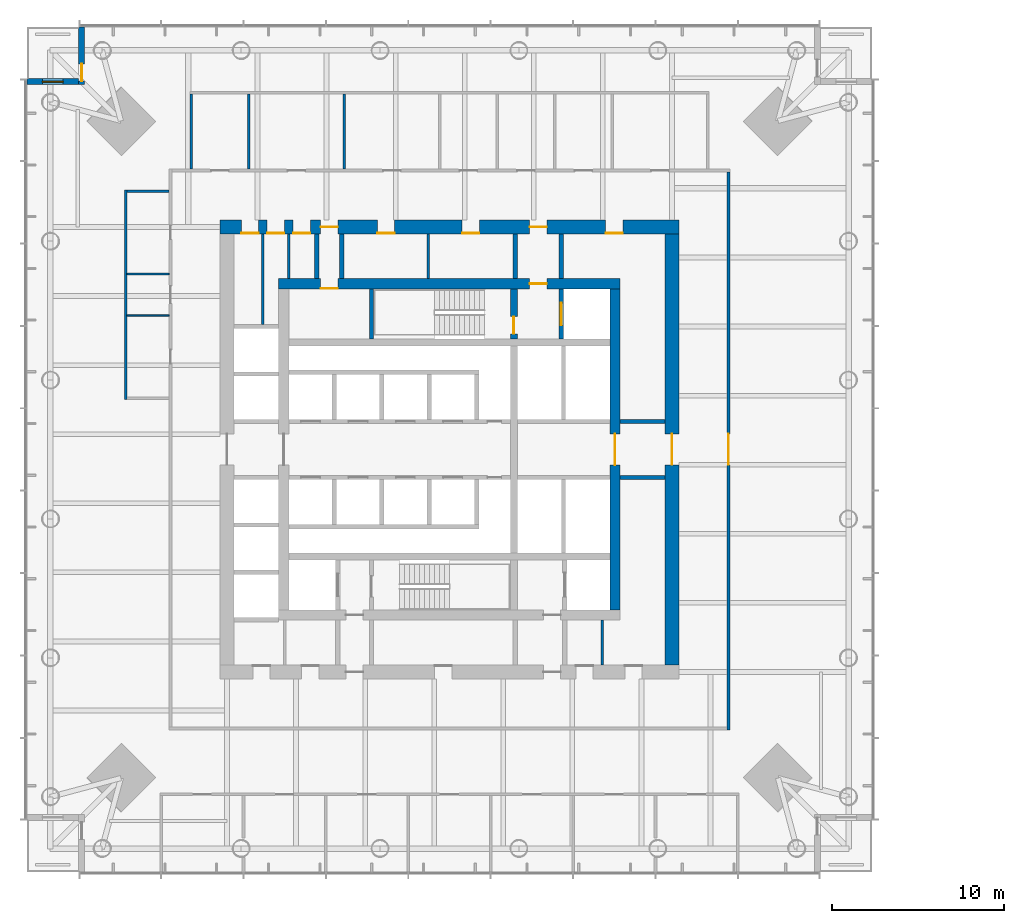
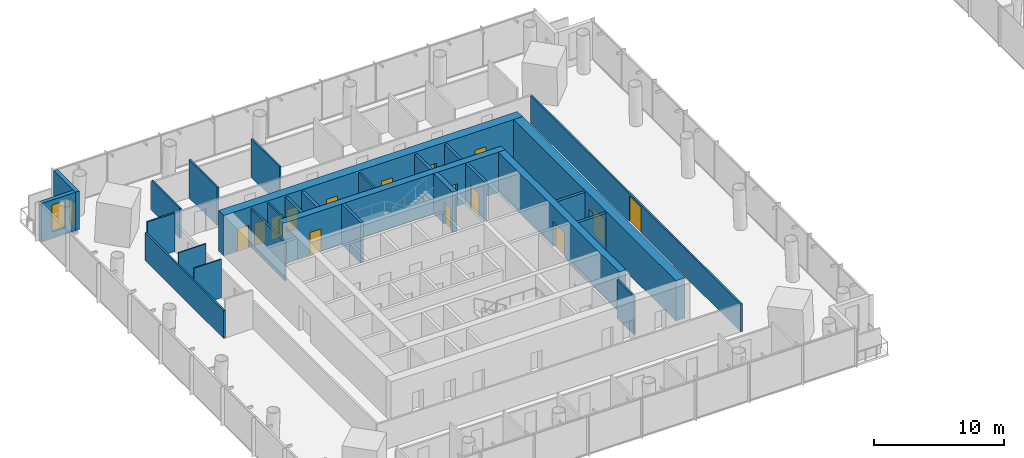
# One storey, part 12 of 21: 27 walls, 16 doors, 1 window, 17 openings.
"""IFC4 building model written with IfcOpenShell, lengths in metres."""

from ifc_helpers import new_model, si_unit, direction, frame, frame_2d, origin, place, context, subcontext, project, spatial, rectangle, extrude, material, layer, layer_set, type_object, element, fill, save


model = new_model("IFC4")

# Units and contexts
model_context = context("Model", 3, precision=1e-05, world=origin(), true_north=direction((0.0, 1.0)))
body_context = subcontext(model_context, "Body", "Model", "MODEL_VIEW")
ifc_project = project(units=[si_unit("LENGTHUNIT", "METRE"), si_unit("AREAUNIT", "SQUARE_METRE"), si_unit("VOLUMEUNIT", "CUBIC_METRE"), si_unit("PLANEANGLEUNIT", "RADIAN"), si_unit("MASSUNIT", "GRAM", prefix="KILO")], contexts=[model_context])

# Site, building, storey
site_placement = place(None, origin())
site = spatial("IfcSite", under=ifc_project, at=site_placement, CompositionType="ELEMENT")
building_placement = place(site_placement, origin())
building = spatial("IfcBuilding", under=site, at=building_placement, Name="Ostroluk Exchange", CompositionType="ELEMENT")
storey_placement = place(building_placement, frame((0.0, 0.0, 47.60009765625)))
storey = spatial("IfcBuildingStorey", under=building, at=storey_placement, Name="L11", CompositionType="ELEMENT", Elevation=47.60009765625)

# Walls
ifc_material_1 = material(Name="Concrete blockwork", Category="masonry")
ifc_layer_1 = layer(ifc_material_1, 0.10009765625)
ifc_layer_set_1 = layer_set([ifc_layer_1], Name="Blockwork WC wall 100")
wall_type_1 = type_object("IfcWallType", Name="Blockwork WC wall 100", PredefinedType="SOLIDWALL", material=ifc_layer_set_1)
for number, where, z_axis, x_axis, name in (
    (1, (28.75, 56.175048828125, 0.0), (0.0, 0.0, 1.0), (-1.0, 0.0, 0.0), "Blockwork WC wall"),
    (2, (28.75, 53.77490234375, 0.0), (0.0, 0.0, 1.0), (-1.0, 0.0, 0.0), "Blockwork WC wall"),
):
    element("IfcWall", number, at=place(storey_placement, frame(where, z_axis=z_axis, x_axis=x_axis)), inside=storey, type_object=wall_type_1, Name=name, PredefinedType="SOLIDWALL", context=body_context, shape_type="SweptSolid", body=[
        extrude(rectangle(XDim=2.449951171875, YDim=0.10009765625, at=frame_2d((1.22509765625, 0.0))), origin(), (0.0, 0.0, 1.0), 3.619873046875),
    ])
ifc_material_2 = material(Name="Concrete blockwork", Category="masonry")
ifc_layer_2 = layer(ifc_material_2, 0.14990234375)
ifc_layer_set_2 = layer_set([ifc_layer_2], Name="Blockwork plant room wall 150")
wall_type_2 = type_object("IfcWallType", Name="Blockwork plant room wall 150", PredefinedType="SOLIDWALL", material=ifc_layer_set_2)
wall_1_placement = place(storey_placement, frame((34.18310546875, 53.25, 0.0), z_axis=(0.0, 0.0, 1.0), x_axis=(0.0, 1.0, 0.0)))
element("IfcWall", 3, at=wall_1_placement, inside=storey, type_object=wall_type_2, Name="Core room wall", PredefinedType="SOLIDWALL", context=body_context, shape_type="SweptSolid", body=[
    extrude(rectangle(XDim=5.25, YDim=0.14990234375, at=frame_2d((2.625, 0.0))), origin(), (0.0, 0.0, 1.0), 3.619873046875),
])
for number, where, z_axis, x_axis, name in (
    (4, (35.678955078125, 55.89990234375, 0.0), (0.0, 0.0, 1.0), (0.0, 1.0, 0.0), "Core room wall"),
    (5, (43.777587890625, 55.89990234375, 0.0), (0.0, 0.0, 1.0), (0.0, 1.0, 0.0), "Core room wall"),
    (6, (53.85205078125, 33.5, 0.0), (0.0, 0.0, 1.0), (0.0, 1.0, 0.0), "Core room wall"),
):
    element("IfcWall", number, at=place(storey_placement, frame(where, z_axis=z_axis, x_axis=x_axis)), inside=storey, type_object=wall_type_2, Name=name, PredefinedType="SOLIDWALL", context=body_context, shape_type="SweptSolid", body=[
        extrude(rectangle(XDim=2.60009765625, YDim=0.14990234375, at=frame_2d((1.300048828125, 0.0))), origin(), (0.0, 0.0, 1.0), 3.619873046875),
    ])
ifc_material_3 = material(Name="Concrete blockwork", Category="masonry")
ifc_layer_3 = layer(ifc_material_3, 0.25)
ifc_layer_set_3 = layer_set([ifc_layer_3], Name="Blockwork stair enclosure wall 250")
wall_type_3 = type_object("IfcWallType", Name="Blockwork stair enclosure wall 250", PredefinedType="SOLIDWALL", material=ifc_layer_set_3)
for number, where, z_axis, x_axis, name in (
    (7, (48.804931640625, 55.89990234375, 0.0), (0.0, 0.0, 1.0), (0.0, 1.0, 0.0), "Fire lobby enclosure wall"),
    (8, (51.47509765625, 55.89990234375, 0.0), (0.0, 0.0, 1.0), (0.0, 1.0, 0.0), "Fire lobby enclosure wall"),
    (9, (54.89990234375, 44.375, 0.0), (0.0, 0.0, 1.0), (1.0, 0.0, 0.0), "Lift lobby enclosure wall"),
    (10, (54.89990234375, 47.625, 0.0), (0.0, 0.0, 1.0), (1.0, 0.0, 0.0), "Lift lobby enclosure wall"),
    (11, (37.300048828125, 55.89990234375, 0.0), (0.0, 0.0, 1.0), (0.0, 1.0, 0.0), "Core corridor wall"),
    (12, (38.75, 55.89990234375, 0.0), (0.0, 0.0, 1.0), (0.0, 1.0, 0.0), "Core corridor wall"),
):
    element("IfcWall", number, at=place(storey_placement, frame(where, z_axis=z_axis, x_axis=x_axis)), inside=storey, type_object=wall_type_3, Name=name, PredefinedType="SOLIDWALL", context=body_context, shape_type="SweptSolid", body=[
        extrude(rectangle(XDim=2.60009765625, YDim=0.25, at=frame_2d((1.300048828125, 0.0))), origin(), (0.0, 0.0, 1.0), 3.619873046875),
    ])

# Wall, opening, door
ifc_material_4 = material(Name="Concrete C50/60", Category="concrete")
ifc_layer_4 = layer(ifc_material_4, 0.39990234375)
ifc_layer_set_4 = layer_set([ifc_layer_4], Name="Core cross wall 400 C50/60")
wall_type_4 = type_object("IfcWallType", Name="Core cross wall 400 C50/60", PredefinedType="SHEAR", material=ifc_layer_set_4)
wall_2_placement = place(storey_placement, frame((48.72998046875, 52.39990234375, 0.0), z_axis=(0.0, 0.0, 1.0), x_axis=(0.0, 1.0, 0.0)))
wall_2 = element("IfcWall", 13, at=wall_2_placement, inside=storey, type_object=wall_type_4, Name="T1 core wall YE3", PredefinedType="SHEAR", context=body_context, shape_type="SweptSolid", body=[
    extrude(rectangle(XDim=2.900146484375, YDim=0.39990234375, at=frame_2d((1.4501953125, 0.0))), origin(), (0.0, 0.0, 1.0), 3.7998046875),
])
opening_1_placement = place(wall_2_placement, frame((0.300048828125, 0.0, 0.0)))
opening_1 = element("IfcOpeningElement", 14, at=opening_1_placement, cuts=wall_2, Name="Opening FD60", PredefinedType="OPENING", context=body_context, shape_type="SweptSolid", body=[
    extrude(rectangle(XDim=1.0, YDim=2.10009765625, at=frame_2d((0.5, 1.050048828125))), frame((0.0, 0.2099609375, 0.0), z_axis=(0.0, -1.0, 0.0), x_axis=(1.0, 0.0, 0.0)), (0.0, 0.0, 1.0), 0.419921875),
])
ifc_material_5 = material(Name="Steel", Category="steel")
door_type_1 = type_object("IfcDoorType", Name="Fire door EI 60 1000 x 2100", OperationType="SINGLE_SWING_LEFT", PredefinedType="DOOR", material=ifc_material_5)
door_1_placement = place(opening_1_placement, origin())
door_1 = element("IfcDoor", 15, at=door_1_placement, inside=storey, type_object=door_type_1, Name="Stair T1-S2 door", OperationType="SINGLE_SWING_LEFT", OverallHeight=2.10009765625, OverallWidth=1.0, PredefinedType="DOOR", context=body_context, shape_type="SweptSolid", body=[
    extrude(rectangle(XDim=1.0, YDim=2.10009765625, at=frame_2d((0.5, 1.050048828125))), frame((0.0, 0.02490234375, 0.0), z_axis=(0.0, -1.0, 0.0), x_axis=(1.0, 0.0, 0.0)), (0.0, 0.0, 1.0), 0.050048828125),
])
fill(opening_1, door_1)

# Wall
ifc_material_6 = material(Name="Concrete C40/50", Category="concrete")
ifc_layer_5 = layer(ifc_material_6, 0.25)
ifc_layer_set_5 = layer_set([ifc_layer_5], Name="Core shaft wall 250")
wall_type_5 = type_object("IfcWallType", Name="Core shaft wall 250", PredefinedType="SHEAR", material=ifc_layer_set_5)
wall_3_placement = place(storey_placement, frame((40.47509765625, 52.39990234375, 0.0), z_axis=(0.0, 0.0, 1.0), x_axis=(0.0, 1.0, 0.0)))
element("IfcWall", 16, at=wall_3_placement, inside=storey, type_object=wall_type_5, Name="Stair shaft wall", PredefinedType="SHEAR", context=body_context, shape_type="SweptSolid", body=[
    extrude(rectangle(XDim=2.900146484375, YDim=0.25, at=frame_2d((1.4501953125, 0.0))), origin(), (0.0, 0.0, 1.0), 3.7998046875),
])

# Wall, opening, door
wall_4_placement = place(storey_placement, frame((51.47509765625, 52.39990234375, 0.0), z_axis=(0.0, 0.0, 1.0), x_axis=(0.0, 1.0, 0.0)))
wall_4 = element("IfcWall", 17, at=wall_4_placement, inside=storey, type_object=wall_type_5, Name="Firefighting lift shaft wall", PredefinedType="SHEAR", context=body_context, shape_type="SweptSolid", body=[
    extrude(rectangle(XDim=2.900146484375, YDim=0.25, at=frame_2d((1.4501953125, 0.0))), origin(), (0.0, 0.0, 1.0), 3.7998046875),
])
opening_2_placement = place(wall_4_placement, frame((0.800048828125, 0.0, 0.0)))
opening_2 = element("IfcOpeningElement", 18, at=opening_2_placement, cuts=wall_4, Name="Opening LD2", PredefinedType="OPENING", context=body_context, shape_type="SweptSolid", body=[
    extrude(rectangle(XDim=1.300048828125, YDim=2.199951171875, at=frame_2d((0.64990234375, 1.10009765625))), frame((0.0, 0.135009765625, 0.0), z_axis=(0.0, -1.0, 0.0), x_axis=(1.0, 0.0, 0.0)), (0.0, 0.0, 1.0), 0.27001953125),
])
ifc_material_7 = material(Name="Stainless steel", Category="steel")
door_type_2 = type_object("IfcDoorType", Name="Lift landing door E 60 1300 x 2200", OperationType="DOUBLE_DOOR_SLIDING", PredefinedType="DOOR", material=ifc_material_7)
door_2_placement = place(opening_2_placement, origin())
door_2 = element("IfcDoor", 19, at=door_2_placement, inside=storey, type_object=door_type_2, Name="Lift FL2 landing door", OperationType="DOUBLE_DOOR_SLIDING", OverallHeight=2.199951171875, OverallWidth=1.300048828125, PredefinedType="DOOR", context=body_context, shape_type="SweptSolid", body=[
    extrude(rectangle(XDim=1.300048828125, YDim=2.199951171875, at=frame_2d((0.64990234375, 1.10009765625))), frame((0.0, 0.02490234375, 0.0), z_axis=(0.0, -1.0, 0.0), x_axis=(1.0, 0.0, 0.0)), (0.0, 0.0, 1.0), 0.050048828125),
])
fill(opening_2, door_2)

# Wall, openings, doors
ifc_material_8 = material(Name="Concrete C50/60", Category="concrete")
ifc_layer_6 = layer(ifc_material_8, 0.60009765625)
ifc_layer_set_6 = layer_set([ifc_layer_6], Name="Core wall 600 C50/60")
wall_type_6 = type_object("IfcWallType", Name="Core wall 600 C50/60", PredefinedType="SHEAR", material=ifc_layer_set_6)
wall_5_placement = place(storey_placement, frame((35.10009765625, 55.60009765625, 0.0), z_axis=(0.0, 0.0, 1.0), x_axis=(1.0, 0.0, 0.0)))
wall_5 = element("IfcWall", 20, at=wall_5_placement, inside=storey, type_object=wall_type_6, Name="T1 core wall N", PredefinedType="SHEAR", context=body_context, shape_type="SweptSolid", body=[
    extrude(rectangle(XDim=19.7998046875, YDim=0.60009765625, at=frame_2d((9.89990234375, 0.0))), origin(), (0.0, 0.0, 1.0), 3.7998046875),
])
opening_3_placement = place(wall_5_placement, frame((14.5400390625, 0.0, 0.0)))
opening_3 = element("IfcOpeningElement", 21, at=opening_3_placement, cuts=wall_5, Name="Opening FD60", PredefinedType="OPENING", context=body_context, shape_type="SweptSolid", body=[
    extrude(rectangle(XDim=1.0, YDim=2.10009765625, at=frame_2d((0.5, 1.050048828125))), frame((0.0, 0.31005859375, 0.0), z_axis=(0.0, -1.0, 0.0), x_axis=(1.0, 0.0, 0.0)), (0.0, 0.0, 1.0), 0.6201171875),
])
opening_4_placement = place(wall_5_placement, frame((2.425048828125, 0.0, 0.0)))
opening_4 = element("IfcOpeningElement", 22, at=opening_4_placement, cuts=wall_5, Name="Opening FD60", PredefinedType="OPENING", context=body_context, shape_type="SweptSolid", body=[
    extrude(rectangle(XDim=1.0, YDim=2.10009765625, at=frame_2d((0.5, 1.050048828125))), frame((0.0, 0.31005859375, 0.0), z_axis=(0.0, -1.0, 0.0), x_axis=(1.0, 0.0, 0.0)), (0.0, 0.0, 1.0), 0.6201171875),
])
door_3_placement = place(opening_3_placement, origin())
door_3 = element("IfcDoor", 23, at=door_3_placement, inside=storey, type_object=door_type_1, Name="Firefighting lobby door", OperationType="SINGLE_SWING_RIGHT", OverallHeight=2.10009765625, OverallWidth=1.0, PredefinedType="DOOR", context=body_context, shape_type="SweptSolid", body=[
    extrude(rectangle(XDim=1.0, YDim=2.10009765625, at=frame_2d((0.5, 1.050048828125))), frame((0.0, 0.02490234375, 0.0), z_axis=(0.0, -1.0, 0.0), x_axis=(1.0, 0.0, 0.0)), (0.0, 0.0, 1.0), 0.050048828125),
])
fill(opening_3, door_3)
door_4_placement = place(opening_4_placement, origin())
door_4 = element("IfcDoor", 24, at=door_4_placement, inside=storey, type_object=door_type_1, Name="Tea point door", OperationType="SINGLE_SWING_LEFT", OverallHeight=2.10009765625, OverallWidth=1.0, PredefinedType="DOOR", context=body_context, shape_type="SweptSolid", body=[
    extrude(rectangle(XDim=1.0, YDim=2.10009765625, at=frame_2d((0.5, 1.050048828125))), frame((0.0, -0.23974609375, 0.0), z_axis=(0.0, -1.0, 0.0), x_axis=(1.0, 0.0, 0.0)), (0.0, 0.0, 1.0), 0.050048828125),
])
fill(opening_4, door_4)

# Wall, opening, door
wall_6_placement = place(storey_placement, frame((54.60009765625, 36.699951171875, 0.0), z_axis=(0.0, 0.0, 1.0), x_axis=(0.0, 1.0, 0.0)))
wall_6 = element("IfcWall", 25, at=wall_6_placement, inside=storey, type_object=wall_type_6, Name="T1 core wall E", PredefinedType="SHEAR", context=body_context, shape_type="SweptSolid", body=[
    extrude(rectangle(XDim=18.60009765625, YDim=0.60009765625, at=frame_2d((9.300048828125, 0.0))), origin(), (0.0, 0.0, 1.0), 3.7998046875),
])
opening_5_placement = place(wall_6_placement, frame((8.39990234375, 0.0, 0.0)))
opening_5 = element("IfcOpeningElement", 26, at=opening_5_placement, cuts=wall_6, Name="Opening FD30D", PredefinedType="OPENING", context=body_context, shape_type="SweptSolid", body=[
    extrude(rectangle(XDim=1.800048828125, YDim=2.39990234375, at=frame_2d((0.89990234375, 1.199951171875))), frame((0.0, 0.31005859375, 0.0), z_axis=(0.0, -1.0, 0.0), x_axis=(1.0, 0.0, 0.0)), (0.0, 0.0, 1.0), 0.6201171875),
])
ifc_material_9 = material(Name="Timber", Category="wood")
door_type_3 = type_object("IfcDoorType", Name="Lobby double door EI 30 1800 x 2400", OperationType="DOUBLE_DOOR_SINGLE_SWING", PredefinedType="DOOR", material=ifc_material_9)
door_5_placement = place(opening_5_placement, origin())
door_5 = element("IfcDoor", 27, at=door_5_placement, inside=storey, type_object=door_type_3, Name="Lift lobby doors", OperationType="DOUBLE_DOOR_SINGLE_SWING", OverallHeight=2.39990234375, OverallWidth=1.800048828125, PredefinedType="DOOR", context=body_context, shape_type="SweptSolid", body=[
    extrude(rectangle(XDim=1.800048828125, YDim=2.39990234375, at=frame_2d((0.89990234375, 1.199951171875))), frame((0.0, 0.02490234375, 0.0), z_axis=(0.0, -1.0, 0.0), x_axis=(1.0, 0.0, 0.0)), (0.0, 0.0, 1.0), 0.050048828125),
])
fill(opening_5, door_5)

# Wall, openings, doors
ifc_material_10 = material(Name="Concrete C50/60", Category="concrete")
ifc_layer_7 = layer(ifc_material_10, 0.800048828125)
ifc_layer_set_7 = layer_set([ifc_layer_7], Name="Core wall 800 C50/60")
wall_type_7 = type_object("IfcWallType", Name="Core wall 800 C50/60", PredefinedType="SHEAR", material=ifc_layer_set_7)
wall_7_placement = place(storey_placement, frame((31.699951171875, 58.89990234375, 0.0), z_axis=(0.0, 0.0, 1.0), x_axis=(1.0, 0.0, 0.0)))
wall_7 = element("IfcWall", 28, at=wall_7_placement, inside=storey, type_object=wall_type_7, Name="T1 core wall RN", PredefinedType="SHEAR", context=body_context, shape_type="SweptSolid", body=[
    extrude(rectangle(XDim=26.60009765625, YDim=0.800048828125, at=frame_2d((13.300048828125, 0.0))), origin(), (0.0, 0.0, 1.0), 3.7998046875),
])
opening_6_placement = place(wall_7_placement, frame((17.93994140625, 0.0, 0.0)))
opening_6 = element("IfcOpeningElement", 29, at=opening_6_placement, cuts=wall_7, Name="Opening FD60", PredefinedType="OPENING", context=body_context, shape_type="SweptSolid", body=[
    extrude(rectangle(XDim=1.0, YDim=2.10009765625, at=frame_2d((0.5, 1.050048828125))), frame((0.0, 0.409912109375, 0.0), z_axis=(0.0, -1.0, 0.0), x_axis=(1.0, 0.0, 0.0)), (0.0, 0.0, 1.0), 0.820068359375),
])
opening_7_placement = place(wall_7_placement, frame((5.824951171875, 0.0, 0.0)))
opening_7 = element("IfcOpeningElement", 30, at=opening_7_placement, cuts=wall_7, Name="Opening FD60", PredefinedType="OPENING", context=body_context, shape_type="SweptSolid", body=[
    extrude(rectangle(XDim=1.0, YDim=2.10009765625, at=frame_2d((0.5, 1.050048828125))), frame((0.0, 0.409912109375, 0.0), z_axis=(0.0, -1.0, 0.0), x_axis=(1.0, 0.0, 0.0)), (0.0, 0.0, 1.0), 0.820068359375),
])
opening_8_placement = place(wall_7_placement, frame((1.23291015625, 0.0, 0.0)))
opening_8 = element("IfcOpeningElement", 31, at=opening_8_placement, cuts=wall_7, Name="Opening FD60", PredefinedType="OPENING", context=body_context, shape_type="SweptSolid", body=[
    extrude(rectangle(XDim=1.0, YDim=2.10009765625, at=frame_2d((0.5, 1.050048828125))), frame((0.0, 0.409912109375, 0.0), z_axis=(0.0, -1.0, 0.0), x_axis=(1.0, 0.0, 0.0)), (0.0, 0.0, 1.0), 0.820068359375),
])
opening_9_placement = place(wall_7_placement, frame((2.73291015625, 0.0, 0.0)))
opening_9 = element("IfcOpeningElement", 32, at=opening_9_placement, cuts=wall_7, Name="Opening FD60", PredefinedType="OPENING", context=body_context, shape_type="SweptSolid", body=[
    extrude(rectangle(XDim=1.0, YDim=2.10009765625, at=frame_2d((0.5, 1.050048828125))), frame((0.0, 0.409912109375, 0.0), z_axis=(0.0, -1.0, 0.0), x_axis=(1.0, 0.0, 0.0)), (0.0, 0.0, 1.0), 0.820068359375),
])
opening_10_placement = place(wall_7_placement, frame((4.22900390625, 0.0, 0.0)))
opening_10 = element("IfcOpeningElement", 33, at=opening_10_placement, cuts=wall_7, Name="Opening FD60", PredefinedType="OPENING", context=body_context, shape_type="SweptSolid", body=[
    extrude(rectangle(XDim=1.0, YDim=2.10009765625, at=frame_2d((0.5, 1.050048828125))), frame((0.0, 0.409912109375, 0.0), z_axis=(0.0, -1.0, 0.0), x_axis=(1.0, 0.0, 0.0)), (0.0, 0.0, 1.0), 0.820068359375),
])
opening_11_placement = place(wall_7_placement, frame((9.126220703125, 0.0, 0.0)))
opening_11 = element("IfcOpeningElement", 34, at=opening_11_placement, cuts=wall_7, Name="Opening FD60", PredefinedType="OPENING", context=body_context, shape_type="SweptSolid", body=[
    extrude(rectangle(XDim=1.0, YDim=2.10009765625, at=frame_2d((0.5, 1.050048828125))), frame((0.0, 0.409912109375, 0.0), z_axis=(0.0, -1.0, 0.0), x_axis=(1.0, 0.0, 0.0)), (0.0, 0.0, 1.0), 0.820068359375),
])
opening_12_placement = place(wall_7_placement, frame((14.02880859375, 0.0, 0.0)))
opening_12 = element("IfcOpeningElement", 35, at=opening_12_placement, cuts=wall_7, Name="Opening FD60", PredefinedType="OPENING", context=body_context, shape_type="SweptSolid", body=[
    extrude(rectangle(XDim=1.0, YDim=2.10009765625, at=frame_2d((0.5, 1.050048828125))), frame((0.0, 0.409912109375, 0.0), z_axis=(0.0, -1.0, 0.0), x_axis=(1.0, 0.0, 0.0)), (0.0, 0.0, 1.0), 0.820068359375),
])
opening_13_placement = place(wall_7_placement, frame((22.35009765625, 0.0, 0.0)))
opening_13 = element("IfcOpeningElement", 36, at=opening_13_placement, cuts=wall_7, Name="Opening FD60", PredefinedType="OPENING", context=body_context, shape_type="SweptSolid", body=[
    extrude(rectangle(XDim=1.0, YDim=2.10009765625, at=frame_2d((0.5, 1.050048828125))), frame((0.0, 0.409912109375, 0.0), z_axis=(0.0, -1.0, 0.0), x_axis=(1.0, 0.0, 0.0)), (0.0, 0.0, 1.0), 0.820068359375),
])
door_6_placement = place(opening_6_placement, origin())
door_6 = element("IfcDoor", 37, at=door_6_placement, inside=storey, type_object=door_type_1, Name="Firefighting lobby door", OperationType="SINGLE_SWING_RIGHT", OverallHeight=2.10009765625, OverallWidth=1.0, PredefinedType="DOOR", context=body_context, shape_type="SweptSolid", body=[
    extrude(rectangle(XDim=1.0, YDim=2.10009765625, at=frame_2d((0.5, 1.050048828125))), frame((0.0, 0.02490234375, 0.0), z_axis=(0.0, -1.0, 0.0), x_axis=(1.0, 0.0, 0.0)), (0.0, 0.0, 1.0), 0.050048828125),
])
fill(opening_6, door_6)
door_7_placement = place(opening_7_placement, origin())
door_7 = element("IfcDoor", 38, at=door_7_placement, inside=storey, type_object=door_type_1, Name="Core corridor door", OperationType="SINGLE_SWING_LEFT", OverallHeight=2.10009765625, OverallWidth=1.0, PredefinedType="DOOR", context=body_context, shape_type="SweptSolid", body=[
    extrude(rectangle(XDim=1.0, YDim=2.10009765625, at=frame_2d((0.5, 1.050048828125))), frame((0.0, 0.02490234375, 0.0), z_axis=(0.0, -1.0, 0.0), x_axis=(1.0, 0.0, 0.0)), (0.0, 0.0, 1.0), 0.050048828125),
])
fill(opening_7, door_7)
door_8_placement = place(opening_8_placement, origin())
door_8 = element("IfcDoor", 39, at=door_8_placement, inside=storey, type_object=door_type_1, Name="Tenant IT room door", OperationType="SINGLE_SWING_LEFT", OverallHeight=2.10009765625, OverallWidth=1.0, PredefinedType="DOOR", context=body_context, shape_type="SweptSolid", body=[
    extrude(rectangle(XDim=1.0, YDim=2.10009765625, at=frame_2d((0.5, 1.050048828125))), frame((0.0, -0.33984375, 0.0), z_axis=(0.0, -1.0, 0.0), x_axis=(1.0, 0.0, 0.0)), (0.0, 0.0, 1.0), 0.050048828125),
])
fill(opening_8, door_8)
door_9_placement = place(opening_9_placement, origin())
door_9 = element("IfcDoor", 40, at=door_9_placement, inside=storey, type_object=door_type_1, Name="Comms room door", OperationType="SINGLE_SWING_LEFT", OverallHeight=2.10009765625, OverallWidth=1.0, PredefinedType="DOOR", context=body_context, shape_type="SweptSolid", body=[
    extrude(rectangle(XDim=1.0, YDim=2.10009765625, at=frame_2d((0.5, 1.050048828125))), frame((0.0, -0.33984375, 0.0), z_axis=(0.0, -1.0, 0.0), x_axis=(1.0, 0.0, 0.0)), (0.0, 0.0, 1.0), 0.050048828125),
])
fill(opening_9, door_9)
door_10_placement = place(opening_10_placement, origin())
door_10 = element("IfcDoor", 41, at=door_10_placement, inside=storey, type_object=door_type_1, Name="Cleaner's store door", OperationType="SINGLE_SWING_LEFT", OverallHeight=2.10009765625, OverallWidth=1.0, PredefinedType="DOOR", context=body_context, shape_type="SweptSolid", body=[
    extrude(rectangle(XDim=1.0, YDim=2.10009765625, at=frame_2d((0.5, 1.050048828125))), frame((0.0, -0.33984375, 0.0), z_axis=(0.0, -1.0, 0.0), x_axis=(1.0, 0.0, 0.0)), (0.0, 0.0, 1.0), 0.050048828125),
])
fill(opening_10, door_10)
door_11_placement = place(opening_11_placement, origin())
door_11 = element("IfcDoor", 42, at=door_11_placement, inside=storey, type_object=door_type_1, Name="Print and post room door", OperationType="SINGLE_SWING_LEFT", OverallHeight=2.10009765625, OverallWidth=1.0, PredefinedType="DOOR", context=body_context, shape_type="SweptSolid", body=[
    extrude(rectangle(XDim=1.0, YDim=2.10009765625, at=frame_2d((0.5, 1.050048828125))), frame((0.0, -0.33984375, 0.0), z_axis=(0.0, -1.0, 0.0), x_axis=(1.0, 0.0, 0.0)), (0.0, 0.0, 1.0), 0.050048828125),
])
fill(opening_11, door_11)
door_12_placement = place(opening_12_placement, origin())
door_12 = element("IfcDoor", 43, at=door_12_placement, inside=storey, type_object=door_type_1, Name="Archive door", OperationType="SINGLE_SWING_RIGHT", OverallHeight=2.10009765625, OverallWidth=1.0, PredefinedType="DOOR", context=body_context, shape_type="SweptSolid", body=[
    extrude(rectangle(XDim=1.0, YDim=2.10009765625, at=frame_2d((0.5, 1.050048828125))), frame((0.0, -0.33984375, 0.0), z_axis=(0.0, -1.0, 0.0), x_axis=(1.0, 0.0, 0.0)), (0.0, 0.0, 1.0), 0.050048828125),
])
fill(opening_12, door_12)
door_13_placement = place(opening_13_placement, origin())
door_13 = element("IfcDoor", 44, at=door_13_placement, inside=storey, type_object=door_type_1, Name="First aid room door", OperationType="SINGLE_SWING_RIGHT", OverallHeight=2.10009765625, OverallWidth=1.0, PredefinedType="DOOR", context=body_context, shape_type="SweptSolid", body=[
    extrude(rectangle(XDim=1.0, YDim=2.10009765625, at=frame_2d((0.5, 1.050048828125))), frame((0.0, -0.33984375, 0.0), z_axis=(0.0, -1.0, 0.0), x_axis=(1.0, 0.0, 0.0)), (0.0, 0.0, 1.0), 0.050048828125),
])
fill(opening_13, door_13)

# Wall, opening, door
wall_8_placement = place(storey_placement, frame((57.89990234375, 33.5, 0.0), z_axis=(0.0, 0.0, 1.0), x_axis=(0.0, 1.0, 0.0)))
wall_8 = element("IfcWall", 45, at=wall_8_placement, inside=storey, type_object=wall_type_7, Name="T1 core wall RE", PredefinedType="SHEAR", context=body_context, shape_type="SweptSolid", body=[
    extrude(rectangle(XDim=25.0, YDim=0.800048828125, at=frame_2d((12.5, 0.0))), origin(), (0.0, 0.0, 1.0), 3.7998046875),
])
opening_14_placement = place(wall_8_placement, frame((11.60009765625, 0.0, 0.0)))
opening_14 = element("IfcOpeningElement", 46, at=opening_14_placement, cuts=wall_8, Name="Opening FD30D", PredefinedType="OPENING", context=body_context, shape_type="SweptSolid", body=[
    extrude(rectangle(XDim=1.800048828125, YDim=2.39990234375, at=frame_2d((0.89990234375, 1.199951171875))), frame((0.0, 0.409912109375, 0.0), z_axis=(0.0, -1.0, 0.0), x_axis=(1.0, 0.0, 0.0)), (0.0, 0.0, 1.0), 0.820068359375),
])
door_14_placement = place(opening_14_placement, origin())
door_14 = element("IfcDoor", 47, at=door_14_placement, inside=storey, type_object=door_type_3, Name="Lift lobby doors", OperationType="DOUBLE_DOOR_SINGLE_SWING", OverallHeight=2.39990234375, OverallWidth=1.800048828125, PredefinedType="DOOR", context=body_context, shape_type="SweptSolid", body=[
    extrude(rectangle(XDim=1.800048828125, YDim=2.39990234375, at=frame_2d((0.89990234375, 1.199951171875))), frame((0.0, 0.02490234375, 0.0), z_axis=(0.0, -1.0, 0.0), x_axis=(1.0, 0.0, 0.0)), (0.0, 0.0, 1.0), 0.050048828125),
])
fill(opening_14, door_14)

ifc_material_11 = material(Name="Limestone", Category="masonry")
ifc_layer_8 = layer(ifc_material_11, 0.35009765625)
ifc_layer_set_8 = layer_set([ifc_layer_8], Name="Limestone facade wall 350")
wall_type_8 = type_object("IfcWallType", Name="Limestone facade wall 350", PredefinedType="SOLIDWALL", material=ifc_layer_set_8)
wall_9_placement = place(storey_placement, frame((23.675048828125, 70.5, 0.0), z_axis=(0.0, 0.0, 1.0), x_axis=(0.0, -1.0, 0.0)))
wall_9 = element("IfcWall", 48, at=wall_9_placement, inside=storey, type_object=wall_type_8, Name="Office tower NW corner wall L11 a", PredefinedType="SOLIDWALL", context=body_context, shape_type="SweptSolid", body=[
    extrude(rectangle(XDim=3.35009765625, YDim=0.35009765625, at=frame_2d((1.675048828125, 0.0))), origin(), (0.0, 0.0, 1.0), 3.619873046875),
])
opening_15_placement = place(wall_9_placement, frame((2.14990234375, 0.0, 0.0)))
opening_15 = element("IfcOpeningElement", 49, at=opening_15_placement, cuts=wall_9, Name="Opening D-B1", PredefinedType="OPENING", context=body_context, shape_type="SweptSolid", body=[
    extrude(rectangle(XDim=1.0, YDim=2.39990234375, at=frame_2d((0.5, 1.199951171875))), frame((0.0, 0.18505859375, 0.0), z_axis=(0.0, -1.0, 0.0), x_axis=(1.0, 0.0, 0.0)), (0.0, 0.0, 1.0), 0.3701171875),
])
ifc_material_12 = material(Name="Bronze framed glazed door", Category="aluminium")
door_type_4 = type_object("IfcDoorType", Name="Balcony door 1000 x 2400", OperationType="SINGLE_SWING_LEFT", PredefinedType="DOOR", material=ifc_material_12)
door_15_placement = place(opening_15_placement, origin())
door_15 = element("IfcDoor", 50, at=door_15_placement, inside=storey, type_object=door_type_4, Name="Office tower NW balcony door L11", OperationType="SINGLE_SWING_RIGHT", OverallHeight=2.39990234375, OverallWidth=1.0, PredefinedType="DOOR", context=body_context, shape_type="SweptSolid", body=[
    extrude(rectangle(XDim=1.0, YDim=2.39990234375, at=frame_2d((0.5, 1.199951171875))), frame((0.0, 0.02490234375, 0.0), z_axis=(0.0, -1.0, 0.0), x_axis=(1.0, 0.0, 0.0)), (0.0, 0.0, 1.0), 0.050048828125),
])
fill(opening_15, door_15)

# Wall, opening, window
wall_10_placement = place(storey_placement, frame((23.5, 67.324951171875, 0.0), z_axis=(0.0, 0.0, 1.0), x_axis=(-1.0, 0.0, 0.0)))
wall_10 = element("IfcWall", 51, at=wall_10_placement, inside=storey, type_object=wall_type_8, Name="Office tower NW corner wall L11 b", PredefinedType="SOLIDWALL", context=body_context, shape_type="SweptSolid", body=[
    extrude(rectangle(XDim=3.0, YDim=0.35009765625, at=frame_2d((1.5, 0.0))), origin(), (0.0, 0.0, 1.0), 3.619873046875),
])
opening_16_placement = place(wall_10_placement, frame((0.89990234375, 0.0, 0.60009765625)))
opening_16 = element("IfcOpeningElement", 52, at=opening_16_placement, cuts=wall_10, Name="Opening WN-L1", PredefinedType="OPENING", context=body_context, shape_type="SweptSolid", body=[
    extrude(rectangle(XDim=1.199951171875, YDim=2.550048828125, at=frame_2d((0.60009765625, 1.27490234375))), frame((0.0, 0.18505859375, 0.0), z_axis=(0.0, -1.0, 0.0), x_axis=(1.0, 0.0, 0.0)), (0.0, 0.0, 1.0), 0.3701171875),
])
ifc_material_13 = material(Name="Laminated clear glass", Category="glass")
window_type = type_object("IfcWindowType", Name="Lancet window 1200 x 2550", PartitioningType="SINGLE_PANEL", PredefinedType="WINDOW", material=ifc_material_13)
window_placement = place(opening_16_placement, origin())
window = element("IfcWindow", 53, at=window_placement, inside=storey, type_object=window_type, Name="Office tower NW lancet window L11", OverallHeight=2.550048828125, OverallWidth=1.199951171875, PartitioningType="SINGLE_PANEL", PredefinedType="WINDOW", context=body_context, shape_type="SweptSolid", body=[
    extrude(rectangle(XDim=1.199951171875, YDim=2.550048828125, at=frame_2d((0.60009765625, 1.27490234375))), frame((0.0, 0.030029296875, 0.0), z_axis=(0.0, -1.0, 0.0), x_axis=(1.0, 0.0, 0.0)), (0.0, 0.0, 1.0), 0.06005859375),
])
fill(opening_16, window)

# Walls
ifc_material_14 = material(Name="Gypsum plasterboard partition", Category="gypsum")
ifc_layer_9 = layer(ifc_material_14, 0.14990234375)
ifc_layer_set_9 = layer_set([ifc_layer_9], Name="Plasterboard partition 150")
wall_type_9 = type_object("IfcWallType", Name="Plasterboard partition 150", PredefinedType="PARTITIONING", material=ifc_layer_set_9)
for number, where, z_axis, x_axis, name in (
    (54, (38.899169921875, 62.25, 0.0), (0.0, 0.0, 1.0), (0.0, 1.0, 0.0), "Partition"),
    (55, (33.352783203125, 62.25, 0.0), (0.0, 0.0, 1.0), (0.0, 1.0, 0.0), "Partition"),
):
    element("IfcWall", number, at=place(storey_placement, frame(where, z_axis=z_axis, x_axis=x_axis)), inside=storey, type_object=wall_type_9, Name=name, PredefinedType="PARTITIONING", context=body_context, shape_type="SweptSolid", body=[
        extrude(rectangle(XDim=4.35009765625, YDim=0.14990234375, at=frame_2d((2.175048828125, 0.0))), origin(), (0.0, 0.0, 1.0), 3.619873046875),
    ])
wall_11_placement = place(storey_placement, frame((30.02490234375, 62.25, 0.0), z_axis=(0.0, 0.0, 1.0), x_axis=(0.0, 1.0, 0.0)))
element("IfcWall", 56, at=wall_11_placement, inside=storey, type_object=wall_type_9, Name="Partition", PredefinedType="PARTITIONING", context=body_context, shape_type="SweptSolid", body=[
    extrude(rectangle(XDim=4.35009765625, YDim=0.14990234375, at=frame_2d((2.175048828125, 0.0))), origin(), (0.0, 0.0, 1.0), 2.805908203125),
])

# Wall, opening, door
wall_12_placement = place(storey_placement, frame((61.175048828125, 29.75, 0.0), z_axis=(0.0, 0.0, 1.0), x_axis=(0.0, 1.0, 0.0)))
wall_12 = element("IfcWall", 57, at=wall_12_placement, inside=storey, type_object=wall_type_9, Name="Corridor wall", PredefinedType="PARTITIONING", context=body_context, shape_type="SweptSolid", body=[
    extrude(rectangle(XDim=32.35009765625, YDim=0.14990234375, at=frame_2d((16.175048828125, 0.0))), origin(), (0.0, 0.0, 1.0), 2.61181640625),
])
opening_17_placement = place(wall_12_placement, frame((15.35009765625, 0.0, 0.0)))
opening_17 = element("IfcOpeningElement", 58, at=opening_17_placement, cuts=wall_12, Name="Opening D-04", PredefinedType="OPENING", context=body_context, shape_type="SweptSolid", body=[
    extrude(rectangle(XDim=1.800048828125, YDim=2.39990234375, at=frame_2d((0.89990234375, 1.199951171875))), frame((0.0, 0.0849609375, 0.0), z_axis=(0.0, -1.0, 0.0), x_axis=(1.0, 0.0, 0.0)), (0.0, 0.0, 1.0), 0.169921875),
])
ifc_material_15 = material(Name="Timber", Category="wood")
door_type_5 = type_object("IfcDoorType", Name="Double door 1800 x 2400", OperationType="DOUBLE_DOOR_SINGLE_SWING", PredefinedType="DOOR", material=ifc_material_15)
door_16_placement = place(opening_17_placement, origin())
door_16 = element("IfcDoor", 59, at=door_16_placement, inside=storey, type_object=door_type_5, Name="Open plan office door", OperationType="DOUBLE_DOOR_SINGLE_SWING", OverallHeight=2.39990234375, OverallWidth=1.800048828125, PredefinedType="DOOR", context=body_context, shape_type="SweptSolid", body=[
    extrude(rectangle(XDim=1.800048828125, YDim=2.39990234375, at=frame_2d((0.89990234375, 1.199951171875))), frame((0.0, 0.02490234375, 0.0), z_axis=(0.0, -1.0, 0.0), x_axis=(1.0, 0.0, 0.0)), (0.0, 0.0, 1.0), 0.050048828125),
])
fill(opening_17, door_16)

# Walls
ifc_material_16 = material(Name="Gypsum plasterboard partition, moisture resistant", Category="gypsum")
ifc_layer_10 = layer(ifc_material_16, 0.14990234375)
ifc_layer_set_10 = layer_set([ifc_layer_10], Name="Plasterboard toilet partition 150")
wall_type_10 = type_object("IfcWallType", Name="Plasterboard toilet partition 150", PredefinedType="PARTITIONING", material=ifc_layer_set_10)
wall_13_placement = place(storey_placement, frame((26.22509765625, 61.050048828125, 0.0), z_axis=(0.0, 0.0, 1.0), x_axis=(0.0, -1.0, 0.0)))
element("IfcWall", 60, at=wall_13_placement, inside=storey, type_object=wall_type_10, Name="Toilet partition", PredefinedType="PARTITIONING", context=body_context, shape_type="SweptSolid", body=[
    extrude(rectangle(XDim=12.150146484375, YDim=0.14990234375, at=frame_2d((6.0751953125, 0.0))), origin(), (0.0, 0.0, 1.0), 2.61181640625),
])
wall_14_placement = place(storey_placement, frame((28.75, 60.97509765625, 0.0), z_axis=(0.0, 0.0, 1.0), x_axis=(-1.0, 0.0, 0.0)))
element("IfcWall", 61, at=wall_14_placement, inside=storey, type_object=wall_type_10, Name="Toilet partition", PredefinedType="PARTITIONING", context=body_context, shape_type="SweptSolid", body=[
    extrude(rectangle(XDim=2.449951171875, YDim=0.14990234375, at=frame_2d((1.22509765625, 0.0))), origin(), (0.0, 0.0, 1.0), 3.619873046875),
])

save(model, "model.ifc")
